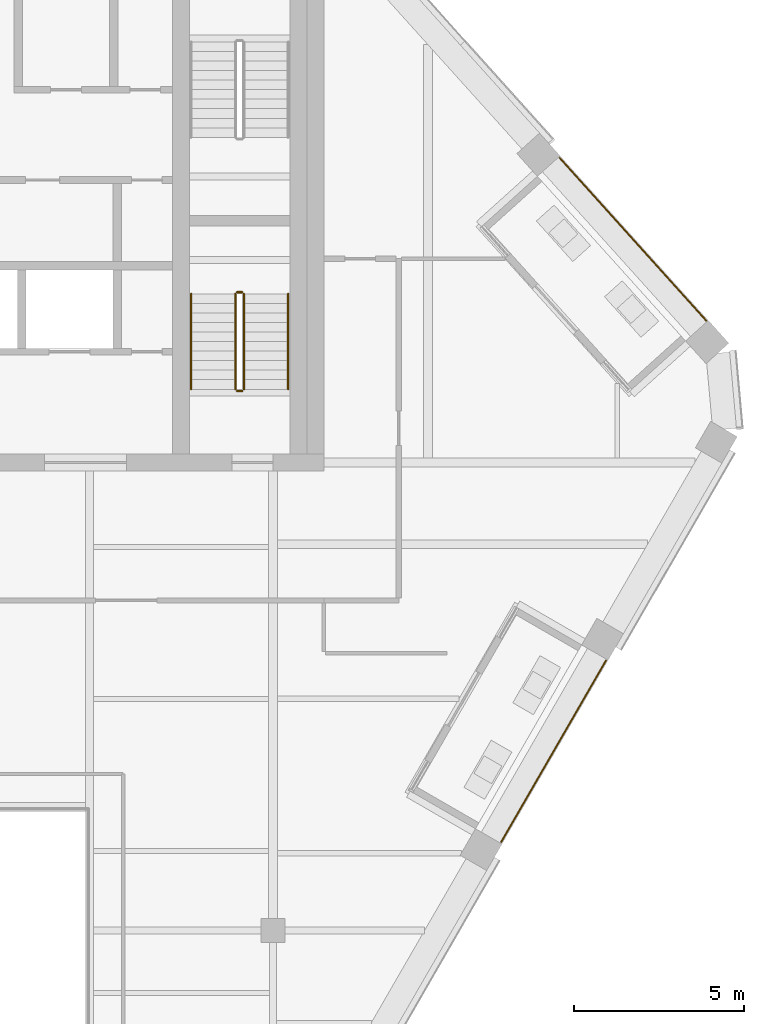
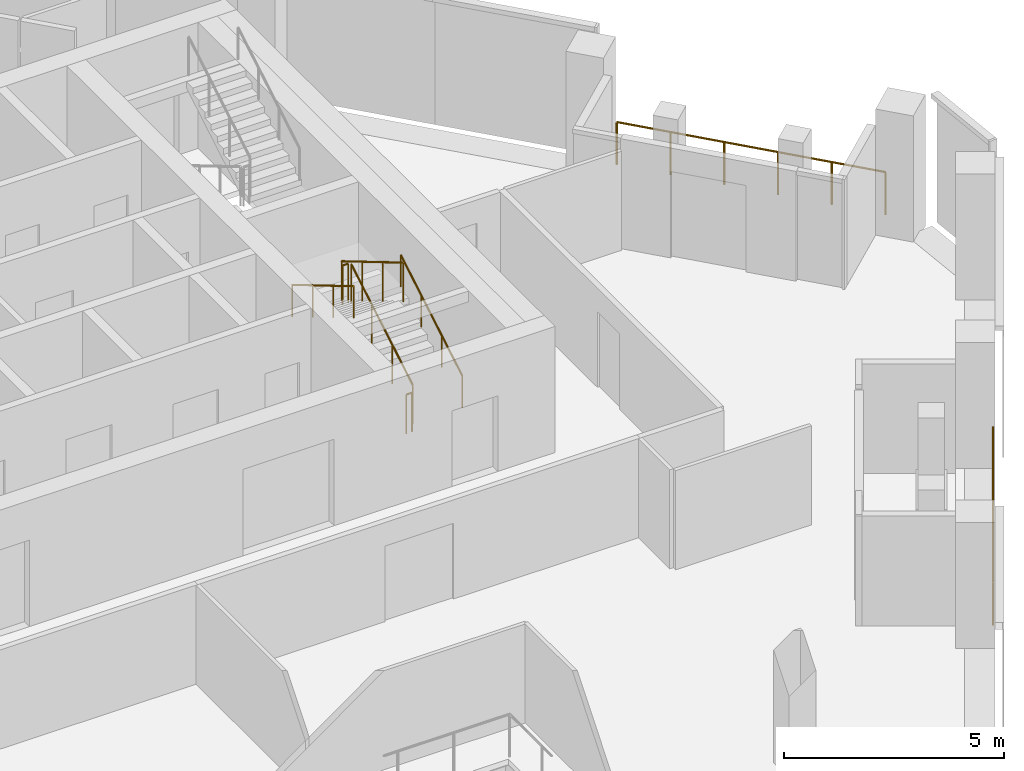
# One storey, part 17 of 20: 8 railings.
"""IFC4 building model written with IfcOpenShell, lengths in metres."""

from ifc_helpers import new_model, si_unit, direction, frame, origin, origin_2d, place, context, subcontext, project, spatial, circle, extrude, material, type_object, element, save


model = new_model("IFC4")

# Units and contexts
model_context = context("Model", 3, precision=1e-05, world=origin(), true_north=direction((0.0, 1.0)))
body_context = subcontext(model_context, "Body", "Model", "MODEL_VIEW")
ifc_project = project(units=[si_unit("LENGTHUNIT", "METRE"), si_unit("AREAUNIT", "SQUARE_METRE"), si_unit("VOLUMEUNIT", "CUBIC_METRE"), si_unit("PLANEANGLEUNIT", "RADIAN"), si_unit("MASSUNIT", "GRAM", prefix="KILO")], contexts=[model_context])

# Site, building, storey
site_placement = place(None, origin())
site = spatial("IfcSite", under=ifc_project, at=site_placement, CompositionType="ELEMENT")
building_placement = place(site_placement, origin())
building = spatial("IfcBuilding", under=site, at=building_placement, Name="Isthmus Gate Tower", CompositionType="ELEMENT")
storey_placement = place(building_placement, frame((0.0, 0.0, 279.199951171875)))
storey = spatial("IfcBuildingStorey", under=building, at=storey_placement, Name="L71", CompositionType="ELEMENT", Elevation=279.199951171875)

# Railings
ifc_material_1 = material(Name="Toughened laminated glass with stainless steel posts", Category="steel")
railing_type_1 = type_object("IfcRailingType", Name="GUARD 1200 FRAMELESS GLASS", PredefinedType="GUARDRAIL", material=ifc_material_1)
railing_1_placement = place(storey_placement, frame((20.207763671875, -10.89892578125, 0.0)))
element("IfcRailing", 1, at=railing_1_placement, inside=storey, type_object=railing_type_1, Name="LOGGIA GUARD", PredefinedType="GUARDRAIL", context=body_context, shape_type="SweptSolid", body=[
    extrude(circle(Radius=0.02490234375, at=origin_2d()), frame((0.0, 0.0, 1.1748046875), z_axis=(0.500025772824, 0.866010523326, 0.0), x_axis=(-0.866010523326, 0.500025772824, 0.0)), (0.0, 0.0, 1.0), 6.154541015625),
    extrude(circle(Radius=0.02490234375, at=origin_2d()), origin(), (0.0, 0.0, 1.0), 1.14990234375),
    extrude(circle(Radius=0.02490234375, at=origin_2d()), frame((0.615478515625, 1.06591796875, 0.0)), (0.0, 0.0, 1.0), 1.14990234375),
    extrude(circle(Radius=0.02490234375, at=origin_2d()), frame((1.23095703125, 2.1318359375, 0.0)), (0.0, 0.0, 1.0), 1.14990234375),
    extrude(circle(Radius=0.02490234375, at=origin_2d()), frame((1.846435546875, 3.197998046875, 0.0)), (0.0, 0.0, 1.0), 1.14990234375),
    extrude(circle(Radius=0.02490234375, at=origin_2d()), frame((2.4619140625, 4.263916015625, 0.0)), (0.0, 0.0, 1.0), 1.14990234375),
    extrude(circle(Radius=0.02490234375, at=origin_2d()), frame((3.077392578125, 5.329833984375, 0.0)), (0.0, 0.0, 1.0), 1.14990234375),
])
railing_2_placement = place(storey_placement, frame((26.228271484375, 4.417724609375, 0.0)))
element("IfcRailing", 2, at=railing_2_placement, inside=storey, type_object=railing_type_1, Name="LOGGIA GUARD", PredefinedType="GUARDRAIL", context=body_context, shape_type="SweptSolid", body=[
    extrude(circle(Radius=0.02490234375, at=origin_2d()), frame((0.0, 0.0, 1.1748046875), z_axis=(-0.669136818185, 0.743139232277, 0.0), x_axis=(-0.743139232277, -0.669136818185, 0.0)), (0.0, 0.0, 1.0), 6.426513671875),
    extrude(circle(Radius=0.02490234375, at=origin_2d()), origin(), (0.0, 0.0, 1.0), 1.14990234375),
    extrude(circle(Radius=0.02490234375, at=origin_2d()), frame((-0.860107421875, 0.955078125, 0.0)), (0.0, 0.0, 1.0), 1.14990234375),
    extrude(circle(Radius=0.02490234375, at=origin_2d()), frame((-1.72021484375, 1.910400390625, 0.0)), (0.0, 0.0, 1.0), 1.14990234375),
    extrude(circle(Radius=0.02490234375, at=origin_2d()), frame((-2.580078125, 2.865478515625, 0.0)), (0.0, 0.0, 1.0), 1.14990234375),
    extrude(circle(Radius=0.02490234375, at=origin_2d()), frame((-3.440185546875, 3.82080078125, 0.0)), (0.0, 0.0, 1.0), 1.14990234375),
    extrude(circle(Radius=0.02490234375, at=origin_2d()), frame((-4.30029296875, 4.77587890625, 0.0)), (0.0, 0.0, 1.0), 1.14990234375),
])
ifc_material_2 = material(Name="Stainless steel balustrade", Category="steel")
railing_type_2 = type_object("IfcRailingType", Name="STAIR GUARD 1100", PredefinedType="GUARDRAIL", material=ifc_material_2)
railing_3_placement = place(storey_placement, frame((12.64990234375, 2.39990234375, 0.166015625)))
element("IfcRailing", 3, at=railing_3_placement, inside=storey, type_object=railing_type_2, Name="L71 ST8 stair guard 1", PredefinedType="GUARDRAIL", context=body_context, shape_type="SweptSolid", body=[
    extrude(circle(Radius=0.02392578125, at=origin_2d()), frame((0.0, 0.0, 1.076171875), z_axis=(0.0, 0.860339051648, 0.50972219513), x_axis=(-1.0, 0.0, 0.0)), (0.0, 0.0, 1.0), 3.254638671875),
    extrude(circle(Radius=0.02099609375, at=origin_2d()), origin(), (0.0, 0.0, 1.0), 1.052001953125),
    extrude(circle(Radius=0.02099609375, at=origin_2d()), frame((0.0, 0.933349609375, 0.552978515625)), (0.0, 0.0, 1.0), 1.052001953125),
    extrude(circle(Radius=0.02099609375, at=origin_2d()), frame((0.0, 1.86669921875, 1.10595703125)), (0.0, 0.0, 1.0), 1.052001953125),
    extrude(circle(Radius=0.02099609375, at=origin_2d()), frame((0.0, 2.800048828125, 1.658935546875)), (0.0, 0.0, 1.0), 1.052001953125),
])
railing_4_placement = place(storey_placement, frame((12.60009765625, 5.25, 1.824951171875)))
element("IfcRailing", 4, at=railing_4_placement, inside=storey, type_object=railing_type_2, Name="L71 ST8 stair guard 2", PredefinedType="GUARDRAIL", context=body_context, shape_type="SweptSolid", body=[
    extrude(circle(Radius=0.02392578125, at=origin_2d()), frame((0.0, 0.0, 1.076171875), z_axis=(-1.0, 0.0, 0.0), x_axis=(0.0, -1.0, 0.0)), (0.0, 0.0, 1.0), 0.150146484375),
    extrude(circle(Radius=0.02099609375, at=origin_2d()), origin(), (0.0, 0.0, 1.0), 1.052001953125),
    extrude(circle(Radius=0.02099609375, at=origin_2d()), frame((-0.150146484375, 0.0, 0.0)), (0.0, 0.0, 1.0), 1.052001953125),
])
railing_5_placement = place(storey_placement, frame((12.39990234375, 5.199951171875, 1.990966796875)))
element("IfcRailing", 5, at=railing_5_placement, inside=storey, type_object=railing_type_2, Name="L71 ST8 stair guard 3", PredefinedType="GUARDRAIL", context=body_context, shape_type="SweptSolid", body=[
    extrude(circle(Radius=0.02392578125, at=origin_2d()), frame((0.0, 0.0, 1.076171875), z_axis=(0.0, -0.860306154799, 0.50977771628), x_axis=(1.0, 0.0, 0.0)), (0.0, 0.0, 1.0), 3.254638671875),
    extrude(circle(Radius=0.02099609375, at=origin_2d()), origin(), (0.0, 0.0, 1.0), 1.052001953125),
    extrude(circle(Radius=0.02099609375, at=origin_2d()), frame((0.0, -0.933349609375, 0.552978515625)), (0.0, 0.0, 1.0), 1.052001953125),
    extrude(circle(Radius=0.02099609375, at=origin_2d()), frame((0.0, -1.86669921875, 1.106201171875)), (0.0, 0.0, 1.0), 1.052001953125),
    extrude(circle(Radius=0.02099609375, at=origin_2d()), frame((0.0, -2.800048828125, 1.6591796875)), (0.0, 0.0, 1.0), 1.052001953125),
])
railing_6_placement = place(storey_placement, frame((12.60009765625, 2.35009765625, 0.0)))
element("IfcRailing", 6, at=railing_6_placement, inside=storey, type_object=railing_type_2, Name="L71 ST8 stair guard 4", PredefinedType="GUARDRAIL", context=body_context, shape_type="SweptSolid", body=[
    extrude(circle(Radius=0.02392578125, at=origin_2d()), frame((0.0, 0.0, 1.076171875), z_axis=(-1.0, 0.0, 0.0), x_axis=(0.0, -1.0, 0.0)), (0.0, 0.0, 1.0), 0.150146484375),
    extrude(circle(Radius=0.02099609375, at=origin_2d()), origin(), (0.0, 0.0, 1.0), 1.052001953125),
    extrude(circle(Radius=0.02099609375, at=origin_2d()), frame((-0.150146484375, 0.0, 0.0)), (0.0, 0.0, 1.0), 1.052001953125),
])
ifc_material_3 = material(Name="Stainless steel handrail", Category="steel")
railing_type_3 = type_object("IfcRailingType", Name="STAIR HANDRAIL 900", PredefinedType="HANDRAIL", material=ifc_material_3)
railing_7_placement = place(storey_placement, frame((13.949951171875, 2.39990234375, 0.166015625)))
element("IfcRailing", 7, at=railing_7_placement, inside=storey, type_object=railing_type_3, Name="L71 ST8 stair handrail 1", PredefinedType="HANDRAIL", context=body_context, shape_type="SweptSolid", body=[
    extrude(circle(Radius=0.02392578125, at=origin_2d()), frame((0.0, 0.0, 0.8759765625), z_axis=(0.0, 0.860339051648, 0.50972219513), x_axis=(-1.0, 0.0, 0.0)), (0.0, 0.0, 1.0), 3.254638671875),
    extrude(circle(Radius=0.02099609375, at=origin_2d()), origin(), (0.0, 0.0, 1.0), 0.851806640625),
    extrude(circle(Radius=0.02099609375, at=origin_2d()), frame((0.0, 0.933349609375, 0.552978515625)), (0.0, 0.0, 1.0), 0.851806640625),
    extrude(circle(Radius=0.02099609375, at=origin_2d()), frame((0.0, 1.86669921875, 1.10595703125)), (0.0, 0.0, 1.0), 0.851806640625),
    extrude(circle(Radius=0.02099609375, at=origin_2d()), frame((0.0, 2.800048828125, 1.658935546875)), (0.0, 0.0, 1.0), 0.851806640625),
])
railing_8_placement = place(storey_placement, frame((11.10009765625, 5.199951171875, 1.990966796875)))
element("IfcRailing", 8, at=railing_8_placement, inside=storey, type_object=railing_type_3, Name="L71 ST8 stair handrail 2", PredefinedType="HANDRAIL", context=body_context, shape_type="SweptSolid", body=[
    extrude(circle(Radius=0.02392578125, at=origin_2d()), frame((0.0, 0.0, 0.8759765625), z_axis=(0.0, -0.860306154799, 0.50977771628), x_axis=(1.0, 0.0, 0.0)), (0.0, 0.0, 1.0), 3.254638671875),
    extrude(circle(Radius=0.02099609375, at=origin_2d()), origin(), (0.0, 0.0, 1.0), 0.851806640625),
    extrude(circle(Radius=0.02099609375, at=origin_2d()), frame((0.0, -0.933349609375, 0.552978515625)), (0.0, 0.0, 1.0), 0.851806640625),
    extrude(circle(Radius=0.02099609375, at=origin_2d()), frame((0.0, -1.86669921875, 1.106201171875)), (0.0, 0.0, 1.0), 0.851806640625),
    extrude(circle(Radius=0.02099609375, at=origin_2d()), frame((0.0, -2.800048828125, 1.6591796875)), (0.0, 0.0, 1.0), 0.851806640625),
])

save(model, "model.ifc")
